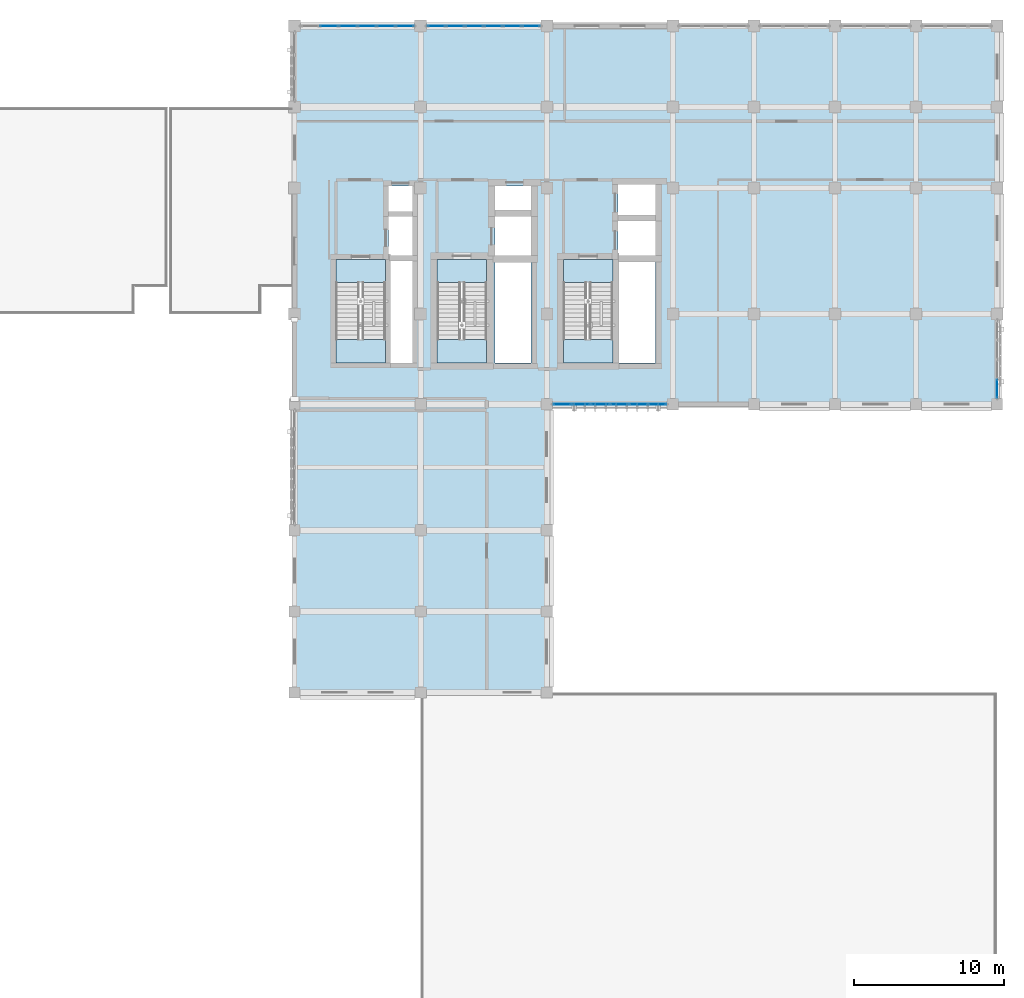
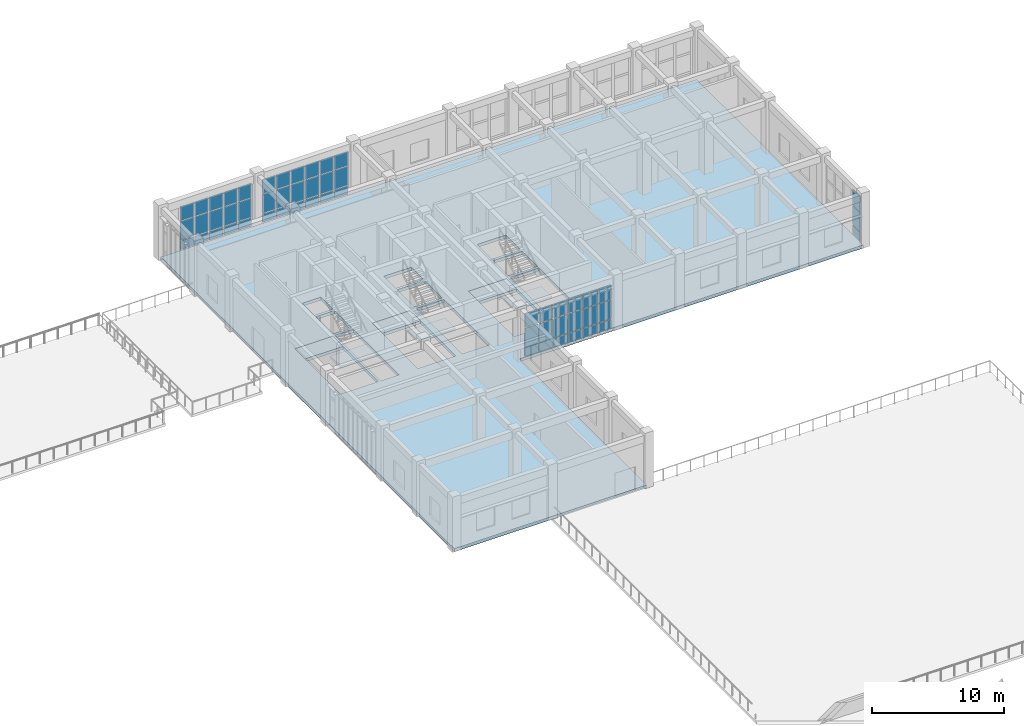
# One storey, part 64 of 93: 54 plates, 7 slabs, 7 elements without a shape of their own.
"""IFC4 building model written with IfcOpenShell, lengths in metres."""

import ifcopenshell
import ifcopenshell.guid

model = None  # the IFC model being written
_history = None  # IfcOwnerHistory: only IFC2X3 demands one
_inside = {}  # id of a spatial element -> (the spatial element, [elements in it])
_under = {}  # id of a project, library or spatial element -> (it, [spatial elements below it])
_declared = {}  # id of a project -> (the project, [libraries it declares])
_typed = {}  # id of a type object -> (the type object, [elements of that type])
_made_of = {}  # id of a material, layer set ... -> (it, [elements and type objects made of it])


def new_model(schema):
    """Start an empty IFC model of exactly this schema.

    Asked for "IFC4X3", IfcOpenShell would pick the latest addendum, in which some entities
    have other attributes; the version numbers below select the first issue.
    IFC2X3 requires an IfcOwnerHistory on every rooted entity: one is made here for all.
    """
    global model, _history
    if schema == "IFC4X3":
        model = ifcopenshell.file(schema_version=(4, 3, 0, 0))
    else:
        model = ifcopenshell.file(schema=schema)
    _inside.clear()
    _under.clear()
    _declared.clear()
    _typed.clear()
    _made_of.clear()
    _history = None
    if model.schema == "IFC2X3":
        org = make("IfcOrganization", Name="unknown")
        user = make(
            "IfcPersonAndOrganization",
            ThePerson=make("IfcPerson", FamilyName="unknown"),
            TheOrganization=org,
        )
        app = make(
            "IfcApplication",
            ApplicationDeveloper=org,
            Version="unknown",
            ApplicationFullName="unknown",
            ApplicationIdentifier="unknown",
        )
        _history = make(
            "IfcOwnerHistory",
            OwningUser=user,
            OwningApplication=app,
            ChangeAction="ADDED",
            CreationDate=0,
        )
    return model


def make(cls, **values):
    """One entity of the class cls with the attributes given. An attribute that is None is left unset."""
    return model.create_entity(
        cls, **{name: value for name, value in values.items() if value is not None}
    )


def rooted(cls, **values):
    """An entity with a GlobalId (a new one), such as an element, a storey or a relation."""
    return make(cls, GlobalId=ifcopenshell.guid.new(), OwnerHistory=_history, **values)


def si_unit(unit_type, name, prefix=None):
    """IfcSIUnit, for example si_unit("LENGTHUNIT", "METRE", prefix="MILLI")."""
    return make("IfcSIUnit", UnitType=unit_type, Prefix=prefix, Name=name)


def assignment(units):
    """IfcUnitAssignment: the units of a project."""
    return None if units is None else make("IfcUnitAssignment", Units=units)


def point(xyz):
    """IfcCartesianPoint."""
    return None if xyz is None else make("IfcCartesianPoint", Coordinates=xyz)


def direction(xyz):
    """IfcDirection."""
    return None if xyz is None else make("IfcDirection", DirectionRatios=xyz)


def frame(location, z_axis=None, x_axis=None):
    """IfcAxis2Placement3D, a coordinate frame: its origin and axes. An axis left out is left unset."""
    return make(
        "IfcAxis2Placement3D",
        Location=point(location),
        Axis=direction(z_axis),
        RefDirection=direction(x_axis),
    )


def frame_2d(location, x_axis=None):
    """IfcAxis2Placement2D, a coordinate frame in the plane: its origin and x axis."""
    return make(
        "IfcAxis2Placement2D", Location=point(location), RefDirection=direction(x_axis)
    )


def origin():
    """The frame at (0, 0, 0) with its axes left unset."""
    return frame((0.0, 0.0, 0.0))


def origin_2d():
    """The frame at (0, 0) in the plane with its x axis left unset."""
    return frame_2d((0.0, 0.0))


def place(relative_to, where):
    """IfcLocalPlacement: puts the frame where relative to a parent placement (None: the world)."""
    return make(
        "IfcLocalPlacement", PlacementRelTo=relative_to, RelativePlacement=where
    )


def context(
    kind, dimensions, precision=None, world=None, true_north=None, identifier=None
):
    """IfcGeometricRepresentationContext, for example the 3D "Model" context."""
    return make(
        "IfcGeometricRepresentationContext",
        ContextIdentifier=identifier,
        ContextType=kind,
        CoordinateSpaceDimension=dimensions,
        Precision=precision,
        WorldCoordinateSystem=world,
        TrueNorth=true_north,
    )


def subcontext(parent, identifier, kind, view, scale=None):
    """IfcGeometricRepresentationSubContext, for example "Body" below "Model"."""
    return make(
        "IfcGeometricRepresentationSubContext",
        ContextIdentifier=identifier,
        ContextType=kind,
        ParentContext=parent,
        TargetScale=scale,
        TargetView=view,
    )


def project(units=None, contexts=None):
    """IfcProject with its units and contexts."""
    return rooted(
        "IfcProject",
        Name="project",
        RepresentationContexts=contexts,
        UnitsInContext=assignment(units),
    )


def spatial(cls, under=None, at=None, **own):
    """A site, building, storey or space (cls), placed at a placement, below another one or the project."""
    s = rooted(cls, ObjectPlacement=at, **own)
    if under is not None:
        _under.setdefault(under.id(), (under, []))[1].append(s)
    return s


def polyline(points):
    """IfcPolyline through the points."""
    return make("IfcPolyline", Points=[point(p) for p in points])


def profile(cls, at=None, kind="AREA", **sizes):
    """A parametric profile (cls). Its sizes go by their IFC names, for example OverallWidth=200.0."""
    return make(cls, ProfileType=kind, Position=at, **sizes)


def rectangle(**sizes):
    """IfcRectangleProfileDef."""
    return profile("IfcRectangleProfileDef", **sizes)


def outline(outer, holes=None, kind="AREA"):
    """IfcArbitraryClosedProfileDef: a profile drawn as a closed curve; with holes, ...WithVoids."""
    if holes is None:
        return make("IfcArbitraryClosedProfileDef", ProfileType=kind, OuterCurve=outer)
    return make(
        "IfcArbitraryProfileDefWithVoids",
        ProfileType=kind,
        OuterCurve=outer,
        InnerCurves=holes,
    )


def extrude(swept, where, along, depth):
    """IfcExtrudedAreaSolid: the profile swept, set in the frame where, extruded along a direction by depth."""
    return make(
        "IfcExtrudedAreaSolid",
        SweptArea=swept,
        Position=where,
        ExtrudedDirection=direction(along),
        Depth=depth,
    )


def shape(context_of_items, identifier, shape_type, items):
    """IfcShapeRepresentation: the items that make up one representation, for example the "Body"."""
    return make(
        "IfcShapeRepresentation",
        ContextOfItems=context_of_items,
        RepresentationIdentifier=identifier,
        RepresentationType=shape_type,
        Items=items,
    )


def material(Name=None, Category=None):
    """IfcMaterial."""
    return make("IfcMaterial", Name=Name, Category=Category)


def layer(
    of_material, thickness, ventilated=None, Name=None, Category=None, Priority=None
):
    """IfcMaterialLayer: one layer of a wall or slab, of a material (None: an air gap)."""
    return make(
        "IfcMaterialLayer",
        Material=of_material,
        LayerThickness=thickness,
        IsVentilated=ventilated,
        Name=Name,
        Category=Category,
        Priority=Priority,
    )


def layer_set(layers, Name=None):
    """IfcMaterialLayerSet."""
    return make("IfcMaterialLayerSet", MaterialLayers=layers, LayerSetName=Name)


def made_of(thing, what):
    """Note that an element or type object is made of a material, layer set ...; save() writes the relation."""
    if what is not None:
        _made_of.setdefault(what.id(), (what, []))[1].append(thing)
    return thing


def type_object(cls, material=None, **own):
    """A type object (cls), such as IfcWallType, which elements share."""
    return made_of(rooted(cls, **own), material)


def element(
    cls,
    number,
    at=None,
    inside=None,
    cuts=None,
    type_object=None,
    material=None,
    context=None,
    identifier="Body",
    shape_type=None,
    held_by="IfcProductDefinitionShape",
    body=None,
    shapes=None,
    **own,
):
    """One element of the class cls, such as IfcWall. Its Tag is "e" and its number.

    at: its placement. inside: the storey or other place that contains it. cuts: it is an
    opening in that element (IfcRelVoidsElement). A single representation is given by context,
    identifier, shape_type and body (its items); several are given by shapes. held_by: the class
    of the entity that holds the representations. save() writes the other relations.
    """
    e = rooted(cls, Tag="e%d" % number, ObjectPlacement=at, **own)
    if body is not None:
        shapes = [shape(context, identifier, shape_type, body)]
    if shapes is not None:
        e.Representation = make(held_by, Representations=shapes)
    if inside is not None:
        _inside.setdefault(inside.id(), (inside, []))[1].append(e)
    if cuts is not None:
        rooted(
            "IfcRelVoidsElement", RelatingBuildingElement=cuts, RelatedOpeningElement=e
        )
    if type_object is not None:
        _typed.setdefault(type_object.id(), (type_object, []))[1].append(e)
    return made_of(e, material)


def aggregate(whole, parts):
    """IfcRelAggregates: a whole, such as a stair, and the parts it consists of."""
    return rooted("IfcRelAggregates", RelatingObject=whole, RelatedObjects=parts)


def save(model, path):
    """Write the relations noted so far, then the file.

    IfcRelAggregates (storeys below a building ...), IfcRelContainedInSpatialStructure (elements
    in a storey), IfcRelDefinesByType, IfcRelAssociatesMaterial and IfcRelDeclares: one each for
    every whole, place, type object, material and project.
    """
    for whole, parts in _under.values():
        aggregate(whole, parts)
    for where, things in _inside.values():
        rooted(
            "IfcRelContainedInSpatialStructure",
            RelatedElements=things,
            RelatingStructure=where,
        )
    for kind, things in _typed.values():
        rooted("IfcRelDefinesByType", RelatedObjects=things, RelatingType=kind)
    for what, things in _made_of.values():
        rooted("IfcRelAssociatesMaterial", RelatedObjects=things, RelatingMaterial=what)
    for by, libraries in _declared.values():
        rooted("IfcRelDeclares", RelatingContext=by, RelatedDefinitions=libraries)
    model.write(path)


model = new_model("IFC4")

# Units and contexts
model_context = context("Model", 3, precision=1e-05, world=origin(), true_north=direction((0.0, 1.0)))
body_context = subcontext(model_context, "Body", "Model", "MODEL_VIEW")
ifc_project = project(units=[si_unit("LENGTHUNIT", "METRE"), si_unit("AREAUNIT", "SQUARE_METRE"), si_unit("VOLUMEUNIT", "CUBIC_METRE"), si_unit("PLANEANGLEUNIT", "RADIAN"), si_unit("MASSUNIT", "GRAM", prefix="KILO")], contexts=[model_context])

# Site, building, storey
site_placement = place(None, origin())
site = spatial("IfcSite", under=ifc_project, at=site_placement, CompositionType="ELEMENT")
building_placement = place(site_placement, origin())
building = spatial("IfcBuilding", under=site, at=building_placement, Name="Krzemoval Escarpment Law Courts", CompositionType="ELEMENT")
storey_placement = place(building_placement, frame((0.0, 0.0, 10.199951171875)))
storey = spatial("IfcBuildingStorey", under=building, at=storey_placement, Name="L02", CompositionType="ELEMENT", Elevation=10.199951171875)

# Curtain wall, plates
ifc_material_1 = material(Name="Aluminium 6063-T6", Category="aluminium")
ifc_layer_1 = layer(ifc_material_1, 0.239990234375)
ifc_layer_set_1 = layer_set([ifc_layer_1], Name="Aluminium 6063-T6")
curtain_wall_type = type_object("IfcCurtainWallType", Name="CW-CHMB-4800", PredefinedType="USERDEFINED", material=ifc_layer_set_1)
curtain_wall_1_placement = place(storey_placement, origin())
curtain_wall_1 = element("IfcCurtainWall", 1, at=curtain_wall_1_placement, inside=storey, type_object=curtain_wall_type, Name="Unitised Curtain Wall FCW-L02-086", ObjectType="UNITISED_CURTAIN_WALL", PredefinedType="USERDEFINED")
ifc_material_2 = material(Name="Triple Glazing IGU", Category="glass")
ifc_layer_2 = layer(ifc_material_2, 0.048095703125)
ifc_layer_set_2 = layer_set([ifc_layer_2], Name="Triple Glazing IGU")
plate_type = type_object("IfcPlateType", Name="CWP-GLZ-48", PredefinedType="CURTAIN_PANEL", material=ifc_layer_set_2)
plate_1_placement = place(storey_placement, frame((128.300048828125, 118.800048828125, 0.074951171875), z_axis=(0.0, 0.0, 1.0), x_axis=(1.0, 0.0, 0.0)))
plate_1 = element("IfcPlate", 2, at=plate_1_placement, type_object=plate_type, Name="FCW-L02-086 panel 2.1", PredefinedType="CURTAIN_PANEL", context=body_context, shape_type="SweptSolid", body=[
    extrude(rectangle(XDim=1.191650390625, YDim=0.048095703125, at=origin_2d()), origin(), (0.0, 0.0, 1.0), 0.78759765625),
])
plate_2_placement = place(storey_placement, frame((128.300048828125, 118.800048828125, 0.9375), z_axis=(0.0, 0.0, 1.0), x_axis=(1.0, 0.0, 0.0)))
plate_2 = element("IfcPlate", 3, at=plate_2_placement, type_object=plate_type, Name="FCW-L02-086 panel 2.2", PredefinedType="CURTAIN_PANEL", context=body_context, shape_type="SweptSolid", body=[
    extrude(rectangle(XDim=1.191650390625, YDim=0.048095703125, at=origin_2d()), origin(), (0.0, 0.0, 1.0), 1.72509765625),
])
plate_3_placement = place(storey_placement, frame((128.300048828125, 118.800048828125, 2.737548828125), z_axis=(0.0, 0.0, 1.0), x_axis=(1.0, 0.0, 0.0)))
plate_3 = element("IfcPlate", 4, at=plate_3_placement, type_object=plate_type, Name="FCW-L02-086 panel 2.3", PredefinedType="CURTAIN_PANEL", context=body_context, shape_type="SweptSolid", body=[
    extrude(rectangle(XDim=1.191650390625, YDim=0.048095703125, at=origin_2d()), origin(), (0.0, 0.0, 1.0), 1.3076171875),
])
plate_4_placement = place(storey_placement, frame((129.566650390625, 118.800048828125, 0.074951171875), z_axis=(0.0, 0.0, 1.0), x_axis=(1.0, 0.0, 0.0)))
plate_4 = element("IfcPlate", 5, at=plate_4_placement, type_object=plate_type, Name="FCW-L02-086 panel 3.1", PredefinedType="CURTAIN_PANEL", context=body_context, shape_type="SweptSolid", body=[
    extrude(rectangle(XDim=1.191650390625, YDim=0.048095703125, at=origin_2d()), origin(), (0.0, 0.0, 1.0), 0.78759765625),
])
plate_5_placement = place(storey_placement, frame((129.566650390625, 118.800048828125, 0.9375), z_axis=(0.0, 0.0, 1.0), x_axis=(1.0, 0.0, 0.0)))
plate_5 = element("IfcPlate", 6, at=plate_5_placement, type_object=plate_type, Name="FCW-L02-086 panel 3.2", PredefinedType="CURTAIN_PANEL", context=body_context, shape_type="SweptSolid", body=[
    extrude(rectangle(XDim=1.191650390625, YDim=0.048095703125, at=origin_2d()), origin(), (0.0, 0.0, 1.0), 1.72509765625),
])
plate_6_placement = place(storey_placement, frame((129.566650390625, 118.800048828125, 2.737548828125), z_axis=(0.0, 0.0, 1.0), x_axis=(1.0, 0.0, 0.0)))
plate_6 = element("IfcPlate", 7, at=plate_6_placement, type_object=plate_type, Name="FCW-L02-086 panel 3.3", PredefinedType="CURTAIN_PANEL", context=body_context, shape_type="SweptSolid", body=[
    extrude(rectangle(XDim=1.191650390625, YDim=0.048095703125, at=origin_2d()), origin(), (0.0, 0.0, 1.0), 1.3076171875),
])
plate_7_placement = place(storey_placement, frame((130.833251953125, 118.800048828125, 0.074951171875), z_axis=(0.0, 0.0, 1.0), x_axis=(1.0, 0.0, 0.0)))
plate_7 = element("IfcPlate", 8, at=plate_7_placement, type_object=plate_type, Name="FCW-L02-086 panel 4.1", PredefinedType="CURTAIN_PANEL", context=body_context, shape_type="SweptSolid", body=[
    extrude(rectangle(XDim=1.191650390625, YDim=0.048095703125, at=origin_2d()), origin(), (0.0, 0.0, 1.0), 0.78759765625),
])
plate_8_placement = place(storey_placement, frame((130.833251953125, 118.800048828125, 0.9375), z_axis=(0.0, 0.0, 1.0), x_axis=(1.0, 0.0, 0.0)))
plate_8 = element("IfcPlate", 9, at=plate_8_placement, type_object=plate_type, Name="FCW-L02-086 panel 4.2", PredefinedType="CURTAIN_PANEL", context=body_context, shape_type="SweptSolid", body=[
    extrude(rectangle(XDim=1.191650390625, YDim=0.048095703125, at=origin_2d()), origin(), (0.0, 0.0, 1.0), 1.72509765625),
])
plate_9_placement = place(storey_placement, frame((130.833251953125, 118.800048828125, 2.737548828125), z_axis=(0.0, 0.0, 1.0), x_axis=(1.0, 0.0, 0.0)))
plate_9 = element("IfcPlate", 10, at=plate_9_placement, type_object=plate_type, Name="FCW-L02-086 panel 4.3", PredefinedType="CURTAIN_PANEL", context=body_context, shape_type="SweptSolid", body=[
    extrude(rectangle(XDim=1.191650390625, YDim=0.048095703125, at=origin_2d()), origin(), (0.0, 0.0, 1.0), 1.3076171875),
])
plate_10_placement = place(storey_placement, frame((132.10009765625, 118.800048828125, 0.074951171875), z_axis=(0.0, 0.0, 1.0), x_axis=(1.0, 0.0, 0.0)))
plate_10 = element("IfcPlate", 11, at=plate_10_placement, type_object=plate_type, Name="FCW-L02-086 panel 5.1", PredefinedType="CURTAIN_PANEL", context=body_context, shape_type="SweptSolid", body=[
    extrude(rectangle(XDim=1.191650390625, YDim=0.048095703125, at=origin_2d()), origin(), (0.0, 0.0, 1.0), 0.78759765625),
])
plate_11_placement = place(storey_placement, frame((132.10009765625, 118.800048828125, 0.9375), z_axis=(0.0, 0.0, 1.0), x_axis=(1.0, 0.0, 0.0)))
plate_11 = element("IfcPlate", 12, at=plate_11_placement, type_object=plate_type, Name="FCW-L02-086 panel 5.2", PredefinedType="CURTAIN_PANEL", context=body_context, shape_type="SweptSolid", body=[
    extrude(rectangle(XDim=1.191650390625, YDim=0.048095703125, at=origin_2d()), origin(), (0.0, 0.0, 1.0), 1.72509765625),
])
plate_12_placement = place(storey_placement, frame((132.10009765625, 118.800048828125, 2.737548828125), z_axis=(0.0, 0.0, 1.0), x_axis=(1.0, 0.0, 0.0)))
plate_12 = element("IfcPlate", 13, at=plate_12_placement, type_object=plate_type, Name="FCW-L02-086 panel 5.3", PredefinedType="CURTAIN_PANEL", context=body_context, shape_type="SweptSolid", body=[
    extrude(rectangle(XDim=1.191650390625, YDim=0.048095703125, at=origin_2d()), origin(), (0.0, 0.0, 1.0), 1.3076171875),
])
plate_13_placement = place(storey_placement, frame((133.347900390625, 118.800048828125, 0.074951171875), z_axis=(0.0, 0.0, 1.0), x_axis=(1.0, 0.0, 0.0)))
plate_13 = element("IfcPlate", 14, at=plate_13_placement, type_object=plate_type, Name="FCW-L02-086 panel 6.1", PredefinedType="CURTAIN_PANEL", context=body_context, shape_type="SweptSolid", body=[
    extrude(rectangle(XDim=1.154052734375, YDim=0.048095703125, at=origin_2d()), origin(), (0.0, 0.0, 1.0), 0.78759765625),
])
plate_14_placement = place(storey_placement, frame((133.347900390625, 118.800048828125, 0.9375), z_axis=(0.0, 0.0, 1.0), x_axis=(1.0, 0.0, 0.0)))
plate_14 = element("IfcPlate", 15, at=plate_14_placement, type_object=plate_type, Name="FCW-L02-086 panel 6.2", PredefinedType="CURTAIN_PANEL", context=body_context, shape_type="SweptSolid", body=[
    extrude(rectangle(XDim=1.154052734375, YDim=0.048095703125, at=origin_2d()), origin(), (0.0, 0.0, 1.0), 1.72509765625),
])
plate_15_placement = place(storey_placement, frame((133.347900390625, 118.800048828125, 2.737548828125), z_axis=(0.0, 0.0, 1.0), x_axis=(1.0, 0.0, 0.0)))
plate_15 = element("IfcPlate", 16, at=plate_15_placement, type_object=plate_type, Name="FCW-L02-086 panel 6.3", PredefinedType="CURTAIN_PANEL", context=body_context, shape_type="SweptSolid", body=[
    extrude(rectangle(XDim=1.154052734375, YDim=0.048095703125, at=origin_2d()), origin(), (0.0, 0.0, 1.0), 1.3076171875),
])
aggregate(curtain_wall_1, [plate_1, plate_2, plate_3, plate_4, plate_5, plate_6, plate_7, plate_8, plate_9, plate_10, plate_11, plate_12, plate_13, plate_14, plate_15])

curtain_wall_2_placement = place(storey_placement, origin())
curtain_wall_2 = element("IfcCurtainWall", 17, at=curtain_wall_2_placement, inside=storey, type_object=curtain_wall_type, Name="Unitised Curtain Wall FCW-L02-087", ObjectType="UNITISED_CURTAIN_WALL", PredefinedType="USERDEFINED")
plate_16_placement = place(storey_placement, frame((135.4521484375, 118.800048828125, 0.074951171875), z_axis=(0.0, 0.0, 1.0), x_axis=(1.0, 0.0, 0.0)))
plate_16 = element("IfcPlate", 18, at=plate_16_placement, type_object=plate_type, Name="FCW-L02-087 panel 1.1", PredefinedType="CURTAIN_PANEL", context=body_context, shape_type="SweptSolid", body=[
    extrude(rectangle(XDim=1.154052734375, YDim=0.048095703125, at=origin_2d()), origin(), (0.0, 0.0, 1.0), 0.78759765625),
])
plate_17_placement = place(storey_placement, frame((135.4521484375, 118.800048828125, 0.9375), z_axis=(0.0, 0.0, 1.0), x_axis=(1.0, 0.0, 0.0)))
plate_17 = element("IfcPlate", 19, at=plate_17_placement, type_object=plate_type, Name="FCW-L02-087 panel 1.2", PredefinedType="CURTAIN_PANEL", context=body_context, shape_type="SweptSolid", body=[
    extrude(rectangle(XDim=1.154052734375, YDim=0.048095703125, at=origin_2d()), origin(), (0.0, 0.0, 1.0), 1.72509765625),
])
plate_18_placement = place(storey_placement, frame((135.4521484375, 118.800048828125, 2.737548828125), z_axis=(0.0, 0.0, 1.0), x_axis=(1.0, 0.0, 0.0)))
plate_18 = element("IfcPlate", 20, at=plate_18_placement, type_object=plate_type, Name="FCW-L02-087 panel 1.3", PredefinedType="CURTAIN_PANEL", context=body_context, shape_type="SweptSolid", body=[
    extrude(rectangle(XDim=1.154052734375, YDim=0.048095703125, at=origin_2d()), origin(), (0.0, 0.0, 1.0), 1.3076171875),
])
plate_19_placement = place(storey_placement, frame((136.699951171875, 118.800048828125, 0.074951171875), z_axis=(0.0, 0.0, 1.0), x_axis=(1.0, 0.0, 0.0)))
plate_19 = element("IfcPlate", 21, at=plate_19_placement, type_object=plate_type, Name="FCW-L02-087 panel 2.1", PredefinedType="CURTAIN_PANEL", context=body_context, shape_type="SweptSolid", body=[
    extrude(rectangle(XDim=1.191650390625, YDim=0.048095703125, at=origin_2d()), origin(), (0.0, 0.0, 1.0), 0.78759765625),
])
plate_20_placement = place(storey_placement, frame((136.699951171875, 118.800048828125, 0.9375), z_axis=(0.0, 0.0, 1.0), x_axis=(1.0, 0.0, 0.0)))
plate_20 = element("IfcPlate", 22, at=plate_20_placement, type_object=plate_type, Name="FCW-L02-087 panel 2.2", PredefinedType="CURTAIN_PANEL", context=body_context, shape_type="SweptSolid", body=[
    extrude(rectangle(XDim=1.191650390625, YDim=0.048095703125, at=origin_2d()), origin(), (0.0, 0.0, 1.0), 1.72509765625),
])
plate_21_placement = place(storey_placement, frame((136.699951171875, 118.800048828125, 2.737548828125), z_axis=(0.0, 0.0, 1.0), x_axis=(1.0, 0.0, 0.0)))
plate_21 = element("IfcPlate", 23, at=plate_21_placement, type_object=plate_type, Name="FCW-L02-087 panel 2.3", PredefinedType="CURTAIN_PANEL", context=body_context, shape_type="SweptSolid", body=[
    extrude(rectangle(XDim=1.191650390625, YDim=0.048095703125, at=origin_2d()), origin(), (0.0, 0.0, 1.0), 1.3076171875),
])
plate_22_placement = place(storey_placement, frame((137.966552734375, 118.800048828125, 0.074951171875), z_axis=(0.0, 0.0, 1.0), x_axis=(1.0, 0.0, 0.0)))
plate_22 = element("IfcPlate", 24, at=plate_22_placement, type_object=plate_type, Name="FCW-L02-087 panel 3.1", PredefinedType="CURTAIN_PANEL", context=body_context, shape_type="SweptSolid", body=[
    extrude(rectangle(XDim=1.191650390625, YDim=0.048095703125, at=origin_2d()), origin(), (0.0, 0.0, 1.0), 0.78759765625),
])
plate_23_placement = place(storey_placement, frame((137.966552734375, 118.800048828125, 0.9375), z_axis=(0.0, 0.0, 1.0), x_axis=(1.0, 0.0, 0.0)))
plate_23 = element("IfcPlate", 25, at=plate_23_placement, type_object=plate_type, Name="FCW-L02-087 panel 3.2", PredefinedType="CURTAIN_PANEL", context=body_context, shape_type="SweptSolid", body=[
    extrude(rectangle(XDim=1.191650390625, YDim=0.048095703125, at=origin_2d()), origin(), (0.0, 0.0, 1.0), 1.72509765625),
])
plate_24_placement = place(storey_placement, frame((137.966552734375, 118.800048828125, 2.737548828125), z_axis=(0.0, 0.0, 1.0), x_axis=(1.0, 0.0, 0.0)))
plate_24 = element("IfcPlate", 26, at=plate_24_placement, type_object=plate_type, Name="FCW-L02-087 panel 3.3", PredefinedType="CURTAIN_PANEL", context=body_context, shape_type="SweptSolid", body=[
    extrude(rectangle(XDim=1.191650390625, YDim=0.048095703125, at=origin_2d()), origin(), (0.0, 0.0, 1.0), 1.3076171875),
])
plate_25_placement = place(storey_placement, frame((139.2333984375, 118.800048828125, 0.074951171875), z_axis=(0.0, 0.0, 1.0), x_axis=(1.0, 0.0, 0.0)))
plate_25 = element("IfcPlate", 27, at=plate_25_placement, type_object=plate_type, Name="FCW-L02-087 panel 4.1", PredefinedType="CURTAIN_PANEL", context=body_context, shape_type="SweptSolid", body=[
    extrude(rectangle(XDim=1.191650390625, YDim=0.048095703125, at=origin_2d()), origin(), (0.0, 0.0, 1.0), 0.78759765625),
])
plate_26_placement = place(storey_placement, frame((139.2333984375, 118.800048828125, 0.9375), z_axis=(0.0, 0.0, 1.0), x_axis=(1.0, 0.0, 0.0)))
plate_26 = element("IfcPlate", 28, at=plate_26_placement, type_object=plate_type, Name="FCW-L02-087 panel 4.2", PredefinedType="CURTAIN_PANEL", context=body_context, shape_type="SweptSolid", body=[
    extrude(rectangle(XDim=1.191650390625, YDim=0.048095703125, at=origin_2d()), origin(), (0.0, 0.0, 1.0), 1.72509765625),
])
plate_27_placement = place(storey_placement, frame((139.2333984375, 118.800048828125, 2.737548828125), z_axis=(0.0, 0.0, 1.0), x_axis=(1.0, 0.0, 0.0)))
plate_27 = element("IfcPlate", 29, at=plate_27_placement, type_object=plate_type, Name="FCW-L02-087 panel 4.3", PredefinedType="CURTAIN_PANEL", context=body_context, shape_type="SweptSolid", body=[
    extrude(rectangle(XDim=1.191650390625, YDim=0.048095703125, at=origin_2d()), origin(), (0.0, 0.0, 1.0), 1.3076171875),
])
plate_28_placement = place(storey_placement, frame((140.5, 118.800048828125, 0.074951171875), z_axis=(0.0, 0.0, 1.0), x_axis=(1.0, 0.0, 0.0)))
plate_28 = element("IfcPlate", 30, at=plate_28_placement, type_object=plate_type, Name="FCW-L02-087 panel 5.1", PredefinedType="CURTAIN_PANEL", context=body_context, shape_type="SweptSolid", body=[
    extrude(rectangle(XDim=1.191650390625, YDim=0.048095703125, at=origin_2d()), origin(), (0.0, 0.0, 1.0), 0.78759765625),
])
plate_29_placement = place(storey_placement, frame((140.5, 118.800048828125, 0.9375), z_axis=(0.0, 0.0, 1.0), x_axis=(1.0, 0.0, 0.0)))
plate_29 = element("IfcPlate", 31, at=plate_29_placement, type_object=plate_type, Name="FCW-L02-087 panel 5.2", PredefinedType="CURTAIN_PANEL", context=body_context, shape_type="SweptSolid", body=[
    extrude(rectangle(XDim=1.191650390625, YDim=0.048095703125, at=origin_2d()), origin(), (0.0, 0.0, 1.0), 1.72509765625),
])
plate_30_placement = place(storey_placement, frame((140.5, 118.800048828125, 2.737548828125), z_axis=(0.0, 0.0, 1.0), x_axis=(1.0, 0.0, 0.0)))
plate_30 = element("IfcPlate", 32, at=plate_30_placement, type_object=plate_type, Name="FCW-L02-087 panel 5.3", PredefinedType="CURTAIN_PANEL", context=body_context, shape_type="SweptSolid", body=[
    extrude(rectangle(XDim=1.191650390625, YDim=0.048095703125, at=origin_2d()), origin(), (0.0, 0.0, 1.0), 1.3076171875),
])
plate_31_placement = place(storey_placement, frame((141.747802734375, 118.800048828125, 0.074951171875), z_axis=(0.0, 0.0, 1.0), x_axis=(1.0, 0.0, 0.0)))
plate_31 = element("IfcPlate", 33, at=plate_31_placement, type_object=plate_type, Name="FCW-L02-087 panel 6.1", PredefinedType="CURTAIN_PANEL", context=body_context, shape_type="SweptSolid", body=[
    extrude(rectangle(XDim=1.154052734375, YDim=0.048095703125, at=origin_2d()), origin(), (0.0, 0.0, 1.0), 0.78759765625),
])
plate_32_placement = place(storey_placement, frame((141.747802734375, 118.800048828125, 0.9375), z_axis=(0.0, 0.0, 1.0), x_axis=(1.0, 0.0, 0.0)))
plate_32 = element("IfcPlate", 34, at=plate_32_placement, type_object=plate_type, Name="FCW-L02-087 panel 6.2", PredefinedType="CURTAIN_PANEL", context=body_context, shape_type="SweptSolid", body=[
    extrude(rectangle(XDim=1.154052734375, YDim=0.048095703125, at=origin_2d()), origin(), (0.0, 0.0, 1.0), 1.72509765625),
])
plate_33_placement = place(storey_placement, frame((141.747802734375, 118.800048828125, 2.737548828125), z_axis=(0.0, 0.0, 1.0), x_axis=(1.0, 0.0, 0.0)))
plate_33 = element("IfcPlate", 35, at=plate_33_placement, type_object=plate_type, Name="FCW-L02-087 panel 6.3", PredefinedType="CURTAIN_PANEL", context=body_context, shape_type="SweptSolid", body=[
    extrude(rectangle(XDim=1.154052734375, YDim=0.048095703125, at=origin_2d()), origin(), (0.0, 0.0, 1.0), 1.3076171875),
])
aggregate(curtain_wall_2, [plate_16, plate_17, plate_18, plate_19, plate_20, plate_21, plate_22, plate_23, plate_24, plate_25, plate_26, plate_27, plate_28, plate_29, plate_30, plate_31, plate_32, plate_33])

curtain_wall_3_placement = place(storey_placement, origin())
curtain_wall_3 = element("IfcCurtainWall", 36, at=curtain_wall_3_placement, inside=storey, type_object=curtain_wall_type, Name="Unitised Curtain Wall FCW-L02-092", ObjectType="UNITISED_CURTAIN_WALL", PredefinedType="USERDEFINED")
plate_34_placement = place(storey_placement, frame((172.800048828125, 94.64697265625, 0.074951171875), z_axis=(0.0, 0.0, 1.0), x_axis=(0.0, -1.0, 0.0)))
plate_34 = element("IfcPlate", 37, at=plate_34_placement, type_object=plate_type, Name="FCW-L02-092 panel 4.1", PredefinedType="CURTAIN_PANEL", context=body_context, shape_type="SweptSolid", body=[
    extrude(rectangle(XDim=1.19384765625, YDim=0.048095703125, at=origin_2d()), origin(), (0.0, 0.0, 1.0), 0.78759765625),
])
plate_35_placement = place(storey_placement, frame((172.800048828125, 94.64697265625, 0.9375), z_axis=(0.0, 0.0, 1.0), x_axis=(0.0, -1.0, 0.0)))
plate_35 = element("IfcPlate", 38, at=plate_35_placement, type_object=plate_type, Name="FCW-L02-092 panel 4.2", PredefinedType="CURTAIN_PANEL", context=body_context, shape_type="SweptSolid", body=[
    extrude(rectangle(XDim=1.19384765625, YDim=0.048095703125, at=origin_2d()), origin(), (0.0, 0.0, 1.0), 1.72509765625),
])
plate_36_placement = place(storey_placement, frame((172.800048828125, 94.64697265625, 2.737548828125), z_axis=(0.0, 0.0, 1.0), x_axis=(0.0, -1.0, 0.0)))
plate_36 = element("IfcPlate", 39, at=plate_36_placement, type_object=plate_type, Name="FCW-L02-092 panel 4.3", PredefinedType="CURTAIN_PANEL", context=body_context, shape_type="SweptSolid", body=[
    extrude(rectangle(XDim=1.19384765625, YDim=0.048095703125, at=origin_2d()), origin(), (0.0, 0.0, 1.0), 1.45751953125),
])
aggregate(curtain_wall_3, [plate_34, plate_35, plate_36])

curtain_wall_4_placement = place(storey_placement, origin())
curtain_wall_4 = element("IfcCurtainWall", 40, at=curtain_wall_4_placement, inside=storey, type_object=curtain_wall_type, Name="Unitised Curtain Wall FCW-L02-093", ObjectType="UNITISED_CURTAIN_WALL", PredefinedType="USERDEFINED")
plate_37_placement = place(storey_placement, frame((150.168701171875, 93.60009765625, 0.074951171875), z_axis=(0.0, 0.0, 1.0), x_axis=(-1.0, 0.0, 0.0)))
plate_37 = element("IfcPlate", 41, at=plate_37_placement, type_object=plate_type, Name="FCW-L02-093 panel 1.1", PredefinedType="CURTAIN_PANEL", context=body_context, shape_type="SweptSolid", body=[
    extrude(rectangle(XDim=1.16259765625, YDim=0.048095703125, at=origin_2d()), origin(), (0.0, 0.0, 1.0), 0.78759765625),
])
plate_38_placement = place(storey_placement, frame((150.168701171875, 93.60009765625, 0.9375), z_axis=(0.0, 0.0, 1.0), x_axis=(-1.0, 0.0, 0.0)))
plate_38 = element("IfcPlate", 42, at=plate_38_placement, type_object=plate_type, Name="FCW-L02-093 panel 1.2", PredefinedType="CURTAIN_PANEL", context=body_context, shape_type="SweptSolid", body=[
    extrude(rectangle(XDim=1.16259765625, YDim=0.048095703125, at=origin_2d()), origin(), (0.0, 0.0, 1.0), 1.72509765625),
])
plate_39_placement = place(storey_placement, frame((150.168701171875, 93.60009765625, 2.737548828125), z_axis=(0.0, 0.0, 1.0), x_axis=(-1.0, 0.0, 0.0)))
plate_39 = element("IfcPlate", 43, at=plate_39_placement, type_object=plate_type, Name="FCW-L02-093 panel 1.3", PredefinedType="CURTAIN_PANEL", context=body_context, shape_type="SweptSolid", body=[
    extrude(rectangle(XDim=1.16259765625, YDim=0.048095703125, at=origin_2d()), origin(), (0.0, 0.0, 1.0), 1.3076171875),
])
plate_40_placement = place(storey_placement, frame((148.91259765625, 93.60009765625, 0.074951171875), z_axis=(0.0, 0.0, 1.0), x_axis=(-1.0, 0.0, 0.0)))
plate_40 = element("IfcPlate", 44, at=plate_40_placement, type_object=plate_type, Name="FCW-L02-093 panel 2.1", PredefinedType="CURTAIN_PANEL", context=body_context, shape_type="SweptSolid", body=[
    extrude(rectangle(XDim=1.199951171875, YDim=0.048095703125, at=origin_2d()), origin(), (0.0, 0.0, 1.0), 0.78759765625),
])
plate_41_placement = place(storey_placement, frame((148.91259765625, 93.60009765625, 0.9375), z_axis=(0.0, 0.0, 1.0), x_axis=(-1.0, 0.0, 0.0)))
plate_41 = element("IfcPlate", 45, at=plate_41_placement, type_object=plate_type, Name="FCW-L02-093 panel 2.2", PredefinedType="CURTAIN_PANEL", context=body_context, shape_type="SweptSolid", body=[
    extrude(rectangle(XDim=1.199951171875, YDim=0.048095703125, at=origin_2d()), origin(), (0.0, 0.0, 1.0), 1.72509765625),
])
plate_42_placement = place(storey_placement, frame((148.91259765625, 93.60009765625, 2.737548828125), z_axis=(0.0, 0.0, 1.0), x_axis=(-1.0, 0.0, 0.0)))
plate_42 = element("IfcPlate", 46, at=plate_42_placement, type_object=plate_type, Name="FCW-L02-093 panel 2.3", PredefinedType="CURTAIN_PANEL", context=body_context, shape_type="SweptSolid", body=[
    extrude(rectangle(XDim=1.199951171875, YDim=0.048095703125, at=origin_2d()), origin(), (0.0, 0.0, 1.0), 1.3076171875),
])
plate_43_placement = place(storey_placement, frame((147.637451171875, 93.60009765625, 0.074951171875), z_axis=(0.0, 0.0, 1.0), x_axis=(-1.0, 0.0, 0.0)))
plate_43 = element("IfcPlate", 47, at=plate_43_placement, type_object=plate_type, Name="FCW-L02-093 panel 3.1", PredefinedType="CURTAIN_PANEL", context=body_context, shape_type="SweptSolid", body=[
    extrude(rectangle(XDim=1.199951171875, YDim=0.048095703125, at=origin_2d()), origin(), (0.0, 0.0, 1.0), 0.78759765625),
])
plate_44_placement = place(storey_placement, frame((147.637451171875, 93.60009765625, 0.9375), z_axis=(0.0, 0.0, 1.0), x_axis=(-1.0, 0.0, 0.0)))
plate_44 = element("IfcPlate", 48, at=plate_44_placement, type_object=plate_type, Name="FCW-L02-093 panel 3.2", PredefinedType="CURTAIN_PANEL", context=body_context, shape_type="SweptSolid", body=[
    extrude(rectangle(XDim=1.199951171875, YDim=0.048095703125, at=origin_2d()), origin(), (0.0, 0.0, 1.0), 1.72509765625),
])
plate_45_placement = place(storey_placement, frame((147.637451171875, 93.60009765625, 2.737548828125), z_axis=(0.0, 0.0, 1.0), x_axis=(-1.0, 0.0, 0.0)))
plate_45 = element("IfcPlate", 49, at=plate_45_placement, type_object=plate_type, Name="FCW-L02-093 panel 3.3", PredefinedType="CURTAIN_PANEL", context=body_context, shape_type="SweptSolid", body=[
    extrude(rectangle(XDim=1.199951171875, YDim=0.048095703125, at=origin_2d()), origin(), (0.0, 0.0, 1.0), 1.3076171875),
])
plate_46_placement = place(storey_placement, frame((146.362548828125, 93.60009765625, 0.074951171875), z_axis=(0.0, 0.0, 1.0), x_axis=(-1.0, 0.0, 0.0)))
plate_46 = element("IfcPlate", 50, at=plate_46_placement, type_object=plate_type, Name="FCW-L02-093 panel 4.1", PredefinedType="CURTAIN_PANEL", context=body_context, shape_type="SweptSolid", body=[
    extrude(rectangle(XDim=1.199951171875, YDim=0.048095703125, at=origin_2d()), origin(), (0.0, 0.0, 1.0), 0.78759765625),
])
plate_47_placement = place(storey_placement, frame((146.362548828125, 93.60009765625, 0.9375), z_axis=(0.0, 0.0, 1.0), x_axis=(-1.0, 0.0, 0.0)))
plate_47 = element("IfcPlate", 51, at=plate_47_placement, type_object=plate_type, Name="FCW-L02-093 panel 4.2", PredefinedType="CURTAIN_PANEL", context=body_context, shape_type="SweptSolid", body=[
    extrude(rectangle(XDim=1.199951171875, YDim=0.048095703125, at=origin_2d()), origin(), (0.0, 0.0, 1.0), 1.72509765625),
])
plate_48_placement = place(storey_placement, frame((146.362548828125, 93.60009765625, 2.737548828125), z_axis=(0.0, 0.0, 1.0), x_axis=(-1.0, 0.0, 0.0)))
plate_48 = element("IfcPlate", 52, at=plate_48_placement, type_object=plate_type, Name="FCW-L02-093 panel 4.3", PredefinedType="CURTAIN_PANEL", context=body_context, shape_type="SweptSolid", body=[
    extrude(rectangle(XDim=1.199951171875, YDim=0.048095703125, at=origin_2d()), origin(), (0.0, 0.0, 1.0), 1.3076171875),
])
plate_49_placement = place(storey_placement, frame((145.08740234375, 93.60009765625, 0.074951171875), z_axis=(0.0, 0.0, 1.0), x_axis=(-1.0, 0.0, 0.0)))
plate_49 = element("IfcPlate", 53, at=plate_49_placement, type_object=plate_type, Name="FCW-L02-093 panel 5.1", PredefinedType="CURTAIN_PANEL", context=body_context, shape_type="SweptSolid", body=[
    extrude(rectangle(XDim=1.199951171875, YDim=0.048095703125, at=origin_2d()), origin(), (0.0, 0.0, 1.0), 0.78759765625),
])
plate_50_placement = place(storey_placement, frame((145.08740234375, 93.60009765625, 0.9375), z_axis=(0.0, 0.0, 1.0), x_axis=(-1.0, 0.0, 0.0)))
plate_50 = element("IfcPlate", 54, at=plate_50_placement, type_object=plate_type, Name="FCW-L02-093 panel 5.2", PredefinedType="CURTAIN_PANEL", context=body_context, shape_type="SweptSolid", body=[
    extrude(rectangle(XDim=1.199951171875, YDim=0.048095703125, at=origin_2d()), origin(), (0.0, 0.0, 1.0), 1.72509765625),
])
plate_51_placement = place(storey_placement, frame((145.08740234375, 93.60009765625, 2.737548828125), z_axis=(0.0, 0.0, 1.0), x_axis=(-1.0, 0.0, 0.0)))
plate_51 = element("IfcPlate", 55, at=plate_51_placement, type_object=plate_type, Name="FCW-L02-093 panel 5.3", PredefinedType="CURTAIN_PANEL", context=body_context, shape_type="SweptSolid", body=[
    extrude(rectangle(XDim=1.199951171875, YDim=0.048095703125, at=origin_2d()), origin(), (0.0, 0.0, 1.0), 1.3076171875),
])
plate_52_placement = place(storey_placement, frame((143.831298828125, 93.60009765625, 0.074951171875), z_axis=(0.0, 0.0, 1.0), x_axis=(-1.0, 0.0, 0.0)))
plate_52 = element("IfcPlate", 56, at=plate_52_placement, type_object=plate_type, Name="FCW-L02-093 panel 6.1", PredefinedType="CURTAIN_PANEL", context=body_context, shape_type="SweptSolid", body=[
    extrude(rectangle(XDim=1.16259765625, YDim=0.048095703125, at=origin_2d()), origin(), (0.0, 0.0, 1.0), 0.78759765625),
])
plate_53_placement = place(storey_placement, frame((143.831298828125, 93.60009765625, 0.9375), z_axis=(0.0, 0.0, 1.0), x_axis=(-1.0, 0.0, 0.0)))
plate_53 = element("IfcPlate", 57, at=plate_53_placement, type_object=plate_type, Name="FCW-L02-093 panel 6.2", PredefinedType="CURTAIN_PANEL", context=body_context, shape_type="SweptSolid", body=[
    extrude(rectangle(XDim=1.16259765625, YDim=0.048095703125, at=origin_2d()), origin(), (0.0, 0.0, 1.0), 1.72509765625),
])
plate_54_placement = place(storey_placement, frame((143.831298828125, 93.60009765625, 2.737548828125), z_axis=(0.0, 0.0, 1.0), x_axis=(-1.0, 0.0, 0.0)))
plate_54 = element("IfcPlate", 58, at=plate_54_placement, type_object=plate_type, Name="FCW-L02-093 panel 6.3", PredefinedType="CURTAIN_PANEL", context=body_context, shape_type="SweptSolid", body=[
    extrude(rectangle(XDim=1.16259765625, YDim=0.048095703125, at=origin_2d()), origin(), (0.0, 0.0, 1.0), 1.3076171875),
])
aggregate(curtain_wall_4, [plate_37, plate_38, plate_39, plate_40, plate_41, plate_42, plate_43, plate_44, plate_45, plate_46, plate_47, plate_48, plate_49, plate_50, plate_51, plate_52, plate_53, plate_54])

# Stair, slab
ifc_material_3 = material(Name="Concrete C40/50", Category="concrete")
stair_type = type_object("IfcStairType", Name="STR-CORE-1550", PredefinedType="HALF_TURN_STAIR", material=ifc_material_3)
stair_1_placement = place(storey_placement, origin())
stair_1 = element("IfcStair", 59, at=stair_1_placement, inside=storey, type_object=stair_type, Name="L02 ST1", PredefinedType="HALF_TURN_STAIR")
ifc_material_4 = material(Name="Concrete C40/50", Category="concrete")
ifc_layer_3 = layer(ifc_material_4, 0.199951171875)
ifc_layer_set_3 = layer_set([ifc_layer_3], Name="Concrete C40/50")
slab_type_1 = type_object("IfcSlabType", Name="SL-LND-200", PredefinedType="LANDING", material=ifc_layer_set_3)
slab_1_placement = place(storey_placement, frame((0.0, 0.0, 2.35009765625)))
slab_1 = element("IfcSlab", 60, at=slab_1_placement, type_object=slab_type_1, Name="ST1 landing 1", PredefinedType="LANDING", context=body_context, shape_type="SweptSolid", body=[
    extrude(outline(polyline([(128.75, 97.929931640625), (128.75, 96.35009765625), (132.050048828125, 96.35009765625), (132.050048828125, 97.929931640625), (128.75, 97.929931640625)])), origin(), (0.0, 0.0, 1.0), 0.199951171875),
])
aggregate(stair_1, [slab_1])

stair_2_placement = place(storey_placement, origin())
stair_2 = element("IfcStair", 61, at=stair_2_placement, inside=storey, type_object=stair_type, Name="L02 ST2", PredefinedType="HALF_TURN_STAIR")
slab_2_placement = place(storey_placement, frame((0.0, 0.0, 2.35009765625)))
slab_2 = element("IfcSlab", 62, at=slab_2_placement, type_object=slab_type_1, Name="ST2 landing 1", PredefinedType="LANDING", context=body_context, shape_type="SweptSolid", body=[
    extrude(outline(polyline([(135.5, 97.929931640625), (135.5, 96.35009765625), (138.800048828125, 96.35009765625), (138.800048828125, 97.929931640625), (135.5, 97.929931640625)])), origin(), (0.0, 0.0, 1.0), 0.199951171875),
])
aggregate(stair_2, [slab_2])

stair_3_placement = place(storey_placement, origin())
stair_3 = element("IfcStair", 63, at=stair_3_placement, inside=storey, type_object=stair_type, Name="L02 ST3", PredefinedType="HALF_TURN_STAIR")
slab_3_placement = place(storey_placement, frame((0.0, 0.0, 2.35009765625)))
slab_3 = element("IfcSlab", 64, at=slab_3_placement, type_object=slab_type_1, Name="ST3 landing 1", PredefinedType="LANDING", context=body_context, shape_type="SweptSolid", body=[
    extrude(outline(polyline([(143.89990234375, 97.929931640625), (143.89990234375, 96.35009765625), (147.199951171875, 96.35009765625), (147.199951171875, 97.929931640625), (143.89990234375, 97.929931640625)])), origin(), (0.0, 0.0, 1.0), 0.199951171875),
])
aggregate(stair_3, [slab_3])

# Slabs
ifc_material_5 = material(Name="Concrete C50/60", Category="concrete")
ifc_layer_4 = layer(ifc_material_5, 0.280029296875)
ifc_layer_set_4 = layer_set([ifc_layer_4], Name="Concrete C50/60")
slab_type_2 = type_object("IfcSlabType", Name="SL-PT-280", PredefinedType="FLOOR", material=ifc_layer_set_4)
slab_4_placement = place(storey_placement, frame((0.0, 0.0, -0.280029296875)))
element("IfcSlab", 65, at=slab_4_placement, inside=storey, type_object=slab_type_2, Name="Floor Slab SL-L02-V5-034", PredefinedType="FLOOR", context=body_context, shape_type="SweptSolid", body=[
    extrude(outline(polyline([(142.800048828125, 93.60009765625), (142.800048828125, 74.39990234375), (126.0, 74.39990234375), (126.0, 118.800048828125), (172.800048828125, 118.800048828125), (172.800048828125, 93.60009765625), (142.800048828125, 93.60009765625)]), holes=[polyline([(133.85009765625, 103.5), (133.85009765625, 106.10009765625), (132.25, 106.10009765625), (132.25, 103.5), (133.85009765625, 103.5)]), polyline([(132.25, 106.35009765625), (133.85009765625, 106.35009765625), (133.85009765625, 108.14990234375), (132.25, 108.14990234375), (132.25, 106.35009765625)]), polyline([(132.25, 103.25), (132.25, 96.35009765625), (133.85009765625, 96.35009765625), (133.85009765625, 103.25), (132.25, 103.25)]), polyline([(141.75, 106.10009765625), (139.35009765625, 106.10009765625), (139.35009765625, 103.5), (141.75, 103.5), (141.75, 106.10009765625)]), polyline([(141.75, 106.35009765625), (141.75, 108.14990234375), (139.35009765625, 108.14990234375), (139.35009765625, 106.35009765625), (141.75, 106.35009765625)]), polyline([(139.35009765625, 96.35009765625), (141.75, 96.35009765625), (141.75, 103.25), (139.35009765625, 103.25), (139.35009765625, 96.35009765625)]), polyline([(147.550048828125, 105.800048828125), (147.550048828125, 103.5), (150.050048828125, 103.5), (150.050048828125, 105.800048828125), (147.550048828125, 105.800048828125)]), polyline([(150.050048828125, 108.25), (147.550048828125, 108.25), (147.550048828125, 106.050048828125), (150.050048828125, 106.050048828125), (150.050048828125, 108.25)]), polyline([(150.050048828125, 96.35009765625), (150.050048828125, 103.25), (147.550048828125, 103.25), (147.550048828125, 96.35009765625), (150.050048828125, 96.35009765625)]), polyline([(128.75, 96.35009765625), (132.050048828125, 96.35009765625), (132.050048828125, 103.25), (128.75, 103.25), (128.75, 96.35009765625)]), polyline([(135.5, 103.25), (135.5, 96.35009765625), (138.800048828125, 96.35009765625), (138.800048828125, 103.25), (135.5, 103.25)]), polyline([(147.199951171875, 103.25), (143.89990234375, 103.25), (143.89990234375, 96.35009765625), (147.199951171875, 96.35009765625), (147.199951171875, 103.25)])]), origin(), (0.0, 0.0, 1.0), 0.280029296875),
])
slab_5_placement = place(storey_placement, frame((0.0, 0.0, -0.280029296875)))
element("IfcSlab", 66, at=slab_5_placement, inside=storey, type_object=slab_type_2, Name="Core Floor Landing Slab SL-ST1-L02-FL", PredefinedType="FLOOR", context=body_context, shape_type="SweptSolid", body=[
    extrude(outline(polyline([(128.75, 103.25), (128.75, 101.699951171875), (132.050048828125, 101.699951171875), (132.050048828125, 103.25), (128.75, 103.25)])), origin(), (0.0, 0.0, 1.0), 0.280029296875),
])
slab_6_placement = place(storey_placement, frame((0.0, 0.0, -0.280029296875)))
element("IfcSlab", 67, at=slab_6_placement, inside=storey, type_object=slab_type_2, Name="Core Floor Landing Slab SL-ST2-L02-FL", PredefinedType="FLOOR", context=body_context, shape_type="SweptSolid", body=[
    extrude(outline(polyline([(135.5, 103.25), (135.5, 101.699951171875), (138.800048828125, 101.699951171875), (138.800048828125, 103.25), (135.5, 103.25)])), origin(), (0.0, 0.0, 1.0), 0.280029296875),
])
slab_7_placement = place(storey_placement, frame((0.0, 0.0, -0.280029296875)))
element("IfcSlab", 68, at=slab_7_placement, inside=storey, type_object=slab_type_2, Name="Core Floor Landing Slab SL-ST3-L02-FL", PredefinedType="FLOOR", context=body_context, shape_type="SweptSolid", body=[
    extrude(outline(polyline([(143.89990234375, 103.25), (143.89990234375, 101.699951171875), (147.199951171875, 101.699951171875), (147.199951171875, 103.25), (143.89990234375, 103.25)])), origin(), (0.0, 0.0, 1.0), 0.280029296875),
])

save(model, "model.ifc")
